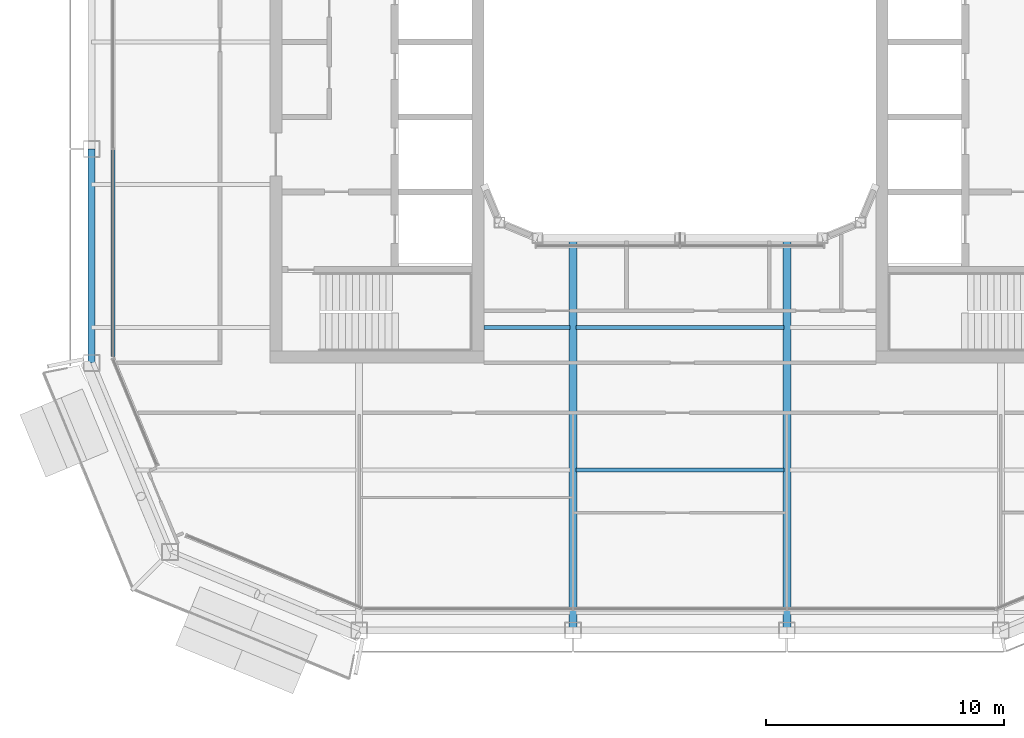
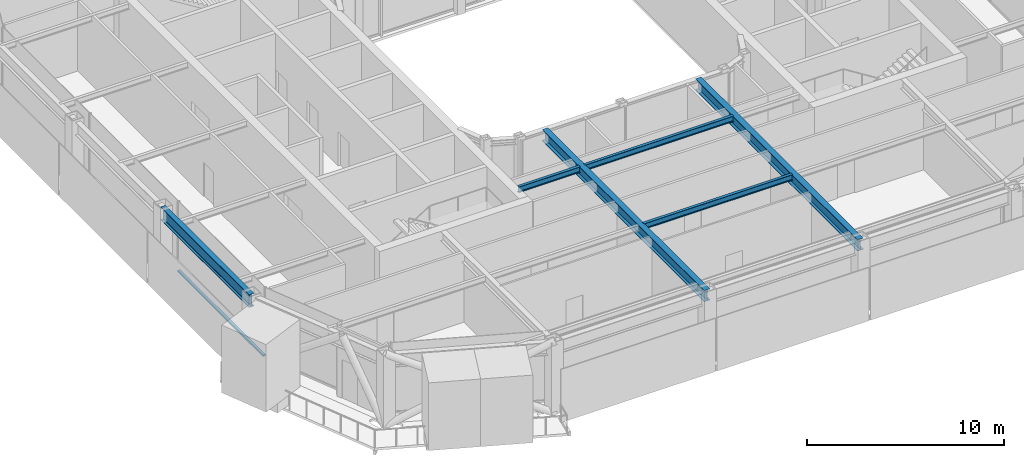
# One storey, part 4 of 21: 6 beams, 1 member, 1 element without a shape of its own.
"""IFC4 building model written with IfcOpenShell, lengths in metres."""

from ifc_helpers import new_model, si_unit, direction, frame, origin, origin_2d, place, context, subcontext, project, spatial, rectangle, i_section, extrude, material, layer, layer_set, material_profile, profile_set, type_object, element, aggregate, save


model = new_model("IFC4")

# Units and contexts
model_context = context("Model", 3, precision=1e-05, world=origin(), true_north=direction((0.0, 1.0)))
body_context = subcontext(model_context, "Body", "Model", "MODEL_VIEW")
ifc_project = project(units=[si_unit("LENGTHUNIT", "METRE"), si_unit("AREAUNIT", "SQUARE_METRE"), si_unit("VOLUMEUNIT", "CUBIC_METRE"), si_unit("PLANEANGLEUNIT", "RADIAN"), si_unit("MASSUNIT", "GRAM", prefix="KILO")], contexts=[model_context])

# Site, building, storey
site_placement = place(None, origin())
site = spatial("IfcSite", under=ifc_project, at=site_placement, CompositionType="ELEMENT")
building_placement = place(site_placement, origin())
building = spatial("IfcBuilding", under=site, at=building_placement, Name="Siwar Civic Tower", CompositionType="ELEMENT")
storey_placement = place(building_placement, frame((0.0, 0.0, 334.699951171875)))
storey = spatial("IfcBuildingStorey", under=building, at=storey_placement, Name="L72", CompositionType="ELEMENT", Elevation=334.699951171875)

# Curtain wall, member
ifc_material_1 = material(Name="Aluminium and glass", Category="aluminium")
ifc_layer = layer(ifc_material_1, 0.159912109375)
ifc_layer_set = layer_set([ifc_layer], Name="Aluminium and glass")
curtain_wall_type = type_object("IfcCurtainWallType", Name="ENV-CW-D", PredefinedType="NOTDEFINED", material=ifc_layer_set)
curtain_wall_placement = place(storey_placement, origin())
curtain_wall = element("IfcCurtainWall", 1, at=curtain_wall_placement, inside=storey, type_object=curtain_wall_type, Name="Curtain wall D W", PredefinedType="NOTDEFINED")
ifc_material_2 = material(Name="Aluminium 6063-T6", Category="aluminium")
ifc_material_profile_1 = material_profile(ifc_material_2, rectangle(XDim=0.159912109375, YDim=0.10009765625, at=origin_2d()), Name="AL 160x100")
ifc_profile_set_1 = profile_set([ifc_material_profile_1], Name="Aluminium 6063-T6")
member_type = type_object("IfcMemberType", Name="ENV-TRANSOM-D", PredefinedType="USERDEFINED", material=ifc_profile_set_1)
member_placement = place(storey_placement, frame((-23.85009765625, -4.530029296875, 0.050048828125), z_axis=(0.0, -1.0, 0.0), x_axis=(1.0, 0.0, 0.0)))
member = element("IfcMember", 2, at=member_placement, type_object=member_type, Name="Transom D W 3", ObjectType="TRANSOM", PredefinedType="USERDEFINED", context=body_context, shape_type="SweptSolid", body=[
    extrude(rectangle(XDim=0.159912109375, YDim=0.10009765625, at=origin_2d()), origin(), (0.0, 0.0, 1.0), 8.693115234375),
])
aggregate(curtain_wall, [member])

# Beams
ifc_material_3 = material(Name="Steel S355", Category="steel")
ifc_material_profile_2 = material_profile(ifc_material_3, i_section(OverallWidth=0.169921875, OverallDepth=0.360107421875, WebThickness=0.008056640625, FlangeThickness=0.0126953125, FilletRadius=0.01806640625, at=origin_2d()), Name="IPE360")
ifc_profile_set_2 = profile_set([ifc_material_profile_2], Name="Steel S355")
beam_type_1 = type_object("IfcBeamType", Name="STR-FB-IPE360", PredefinedType="JOIST", material=ifc_profile_set_2)
beam_1_placement = place(storey_placement, frame((-4.3701171875, -18.0, 4.170166015625), z_axis=(1.0, 0.0, 0.0), x_axis=(0.0, 1.0, 0.0)))
element("IfcBeam", 3, at=beam_1_placement, inside=storey, type_object=beam_type_1, Name="L72/bm/F008", PredefinedType="JOIST", context=body_context, shape_type="SweptSolid", body=[
    extrude(i_section(OverallWidth=0.169921875, OverallDepth=0.360107421875, WebThickness=0.008056640625, FlangeThickness=0.0126953125, FilletRadius=0.01806640625, at=origin_2d()), origin(), (0.0, 0.0, 1.0), 8.740234375),
])
beam_2_placement = place(storey_placement, frame((-8.25, -12.0, 4.170166015625), z_axis=(1.0, 0.0, 0.0), x_axis=(0.0, 1.0, 0.0)))
element("IfcBeam", 4, at=beam_2_placement, inside=storey, type_object=beam_type_1, Name="L72/bm/F012", PredefinedType="JOIST", context=body_context, shape_type="SweptSolid", body=[
    extrude(i_section(OverallWidth=0.169921875, OverallDepth=0.360107421875, WebThickness=0.008056640625, FlangeThickness=0.0126953125, FilletRadius=0.01806640625, at=origin_2d()), origin(), (0.0, 0.0, 1.0), 3.6201171875),
])
beam_3_placement = place(storey_placement, frame((-4.3701171875, -12.0, 4.170166015625), z_axis=(1.0, 0.0, 0.0), x_axis=(0.0, 1.0, 0.0)))
element("IfcBeam", 5, at=beam_3_placement, inside=storey, type_object=beam_type_1, Name="L72/bm/F013", PredefinedType="JOIST", context=body_context, shape_type="SweptSolid", body=[
    extrude(i_section(OverallWidth=0.169921875, OverallDepth=0.360107421875, WebThickness=0.008056640625, FlangeThickness=0.0126953125, FilletRadius=0.01806640625, at=origin_2d()), origin(), (0.0, 0.0, 1.0), 8.740234375),
])
ifc_material_4 = material(Name="Steel S355", Category="steel")
ifc_material_profile_3 = material_profile(ifc_material_4, i_section(OverallWidth=0.340087890625, OverallDepth=0.699951171875, WebThickness=0.013916015625, FlangeThickness=0.030029296875, at=origin_2d()), Name="PG700x340x14x30")
ifc_profile_set_3 = profile_set([ifc_material_profile_3], Name="Steel S355")
beam_type_2 = type_object("IfcBeamType", Name="STR-PG-PG700x340x14x30", PredefinedType="BEAM", material=ifc_profile_set_3)
for number, where, z_axis, x_axis, name in (
    (6, (-4.5, -24.75, 4.0), (0.0, 1.0, 0.0), (-1.0, 0.0, 0.0), "L72/bm/G03"),
    (7, (4.5, -24.75, 4.0), (0.0, 1.0, 0.0), (-1.0, 0.0, 0.0), "L72/bm/G05"),
):
    element("IfcBeam", number, at=place(storey_placement, frame(where, z_axis=z_axis, x_axis=x_axis)), inside=storey, type_object=beam_type_2, Name=name, PredefinedType="BEAM", context=body_context, shape_type="SweptSolid", body=[
        extrude(i_section(OverallWidth=0.340087890625, OverallDepth=0.699951171875, WebThickness=0.013916015625, FlangeThickness=0.030029296875, at=origin_2d()), origin(), (0.0, 0.0, 1.0), 16.5),
    ])
ifc_material_5 = material(Name="Steel S355", Category="steel")
ifc_material_profile_4 = material_profile(ifc_material_5, i_section(OverallWidth=0.300048828125, OverallDepth=0.800048828125, WebThickness=0.017578125, FlangeThickness=0.032958984375, FilletRadius=0.030029296875, at=origin_2d()), Name="HEB800")
ifc_profile_set_4 = profile_set([ifc_material_profile_4], Name="Steel S355")
beam_type_3 = type_object("IfcBeamType", Name="STR-SB-HEB800", PredefinedType="BEAM", material=ifc_profile_set_4)
beam_4_placement = place(storey_placement, frame((-24.75, -4.5, 3.949951171875), z_axis=(0.0, -1.0, 0.0), x_axis=(1.0, 0.0, 0.0)))
element("IfcBeam", 8, at=beam_4_placement, inside=storey, type_object=beam_type_3, Name="L72/bm/SW-2", PredefinedType="BEAM", context=body_context, shape_type="SweptSolid", body=[
    extrude(i_section(OverallWidth=0.300048828125, OverallDepth=0.800048828125, WebThickness=0.017578125, FlangeThickness=0.032958984375, FilletRadius=0.030029296875, at=origin_2d()), origin(), (0.0, 0.0, 1.0), 9.0),
])

save(model, "model.ifc")
